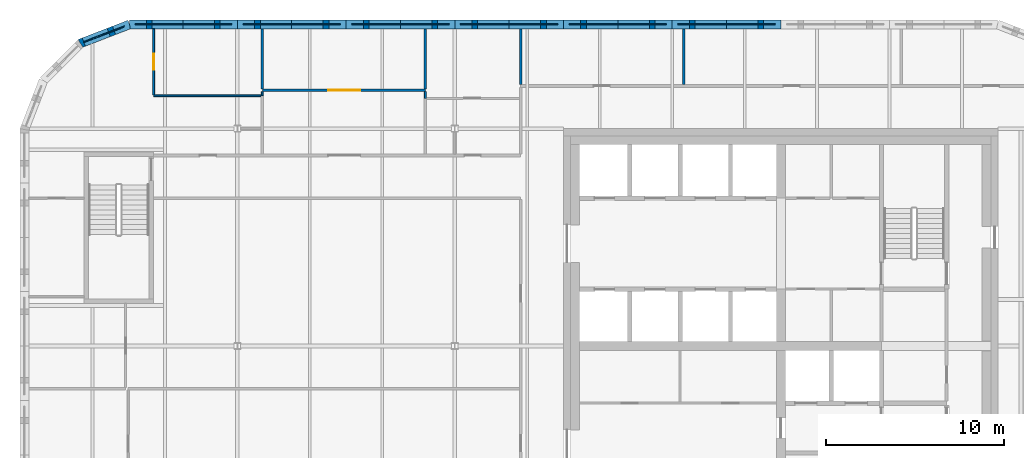
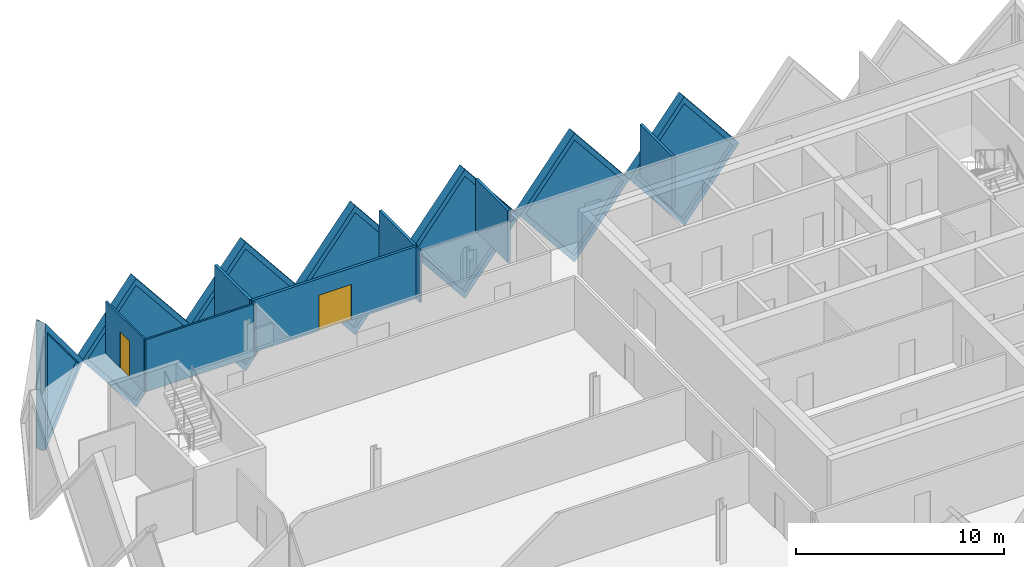
# One storey, part 8 of 10: 16 walls, 7 plates, 2 doors, 9 openings.
"""IFC4 building model written with IfcOpenShell, lengths in metres."""

from ifc_helpers import new_model, si_unit, direction, frame, frame_2d, origin, place, context, subcontext, project, spatial, polyline, rectangle, outline, extrude, faceted_brep, source, transform, mapped, material, layer, layer_set, type_object, element, fill, save


model = new_model("IFC4")

# Units and contexts
model_context = context("Model", 3, precision=1e-05, world=origin(), true_north=direction((0.0, 1.0)))
body_context = subcontext(model_context, "Body", "Model", "MODEL_VIEW")
ifc_project = project(units=[si_unit("LENGTHUNIT", "METRE"), si_unit("AREAUNIT", "SQUARE_METRE"), si_unit("VOLUMEUNIT", "CUBIC_METRE"), si_unit("PLANEANGLEUNIT", "RADIAN"), si_unit("MASSUNIT", "GRAM", prefix="KILO")], contexts=[model_context])

# Site, building, storey
site_placement = place(None, origin())
site = spatial("IfcSite", under=ifc_project, at=site_placement, CompositionType="ELEMENT")
building_placement = place(site_placement, origin())
building = spatial("IfcBuilding", under=site, at=building_placement, Name="Tessera Gate Towers", CompositionType="ELEMENT")
storey_placement = place(building_placement, frame((0.0, 0.0, 248.300048828125)))
storey = spatial("IfcBuildingStorey", under=building, at=storey_placement, Name="L62", CompositionType="ELEMENT", Elevation=248.300048828125)

# Walls
ifc_material_1 = material(Name="Glass", Category="glass")
ifc_layer_1 = layer(ifc_material_1, 0.10009765625)
ifc_layer_set_1 = layer_set([ifc_layer_1], Name="GLAZED PARTITION 100")
wall_type_1 = type_object("IfcWallType", Name="GLAZED PARTITION 100", PredefinedType="PARTITIONING", material=ifc_layer_set_1)
wall_1_placement = place(storey_placement, frame((22.75, 50.5009765625, 0.0), z_axis=(0.0, 0.0, 1.0), x_axis=(0.0, 1.0, 0.0)))
element("IfcWall", 1, at=wall_1_placement, inside=storey, type_object=wall_type_1, Name="T1-L62-PW-025", PredefinedType="PARTITIONING", context=body_context, shape_type="SweptSolid", body=[
    extrude(rectangle(XDim=0.373046875, YDim=0.10009765625, at=frame_2d((0.1865234375, 0.0))), origin(), (0.0, 0.0, 1.0), 3.06689453125),
])
wall_2_placement = place(storey_placement, frame((7.5, 50.64990234375, 0.0), z_axis=(0.0, 0.0, 1.0), x_axis=(1.0, 0.0, 0.0)))
element("IfcWall", 2, at=wall_2_placement, inside=storey, type_object=wall_type_1, Name="T1-L62-PW-027", PredefinedType="PARTITIONING", context=body_context, shape_type="SweptSolid", body=[
    extrude(rectangle(XDim=6.02392578125, YDim=0.10009765625, at=frame_2d((3.011962890625, 0.0))), origin(), (0.0, 0.0, 1.0), 3.06689453125),
])
wall_3_placement = place(storey_placement, frame((13.60009765625, 50.65087890625, 0.0), z_axis=(0.0, 0.0, 1.0), x_axis=(0.0, 1.0, 0.0)))
element("IfcWall", 3, at=wall_3_placement, inside=storey, type_object=wall_type_1, Name="T1-L62-PW-028", PredefinedType="PARTITIONING", context=body_context, shape_type="SweptSolid", body=[
    extrude(rectangle(XDim=0.22314453125, YDim=0.10009765625, at=frame_2d((0.111572265625, 0.0))), origin(), (0.0, 0.0, 1.0), 3.06689453125),
])

# Wall, opening, door
wall_4_placement = place(storey_placement, frame((7.5, 54.39990234375, 0.0), z_axis=(0.0, 0.0, 1.0), x_axis=(0.0, -1.0, 0.0)))
wall_4 = element("IfcWall", 4, at=wall_4_placement, inside=storey, type_object=wall_type_1, Name="T1-L62-PW-029", PredefinedType="PARTITIONING", context=body_context, shape_type="SweptSolid", body=[
    extrude(rectangle(XDim=3.698974609375, YDim=0.10009765625, at=frame_2d((1.849609375, 0.0))), origin(), (0.0, 0.0, 1.0), 3.06689453125),
])
shared_shape_1 = source(origin(), body_context, "Body", "SweptSolid", [
    extrude(rectangle(XDim=0.89990234375, YDim=2.10009765625, at=frame_2d((0.449951171875, 1.050048828125))), frame((0.0, 0.06005859375, 0.0), z_axis=(0.0, -1.0, 0.0), x_axis=(1.0, 0.0, 0.0)), (0.0, 0.0, 1.0), 0.1201171875),
])
opening_1_placement = place(wall_4_placement, frame((1.39892578125, 0.0, 0.0)))
opening_1 = element("IfcOpeningElement", 5, at=opening_1_placement, cuts=wall_4, Name="Opening D690-A21-05", PredefinedType="OPENING", context=body_context, shape_type="MappedRepresentation", body=[
    mapped(shared_shape_1, transform((0.0, 0.0, 0.0), scale=1.0)),
])
ifc_material_2 = material(Name="Glass in aluminium frame", Category="aluminium")
door_type_1 = type_object("IfcDoorType", Name="GLAZED DOOR 900 NOT RATED", OperationType="NOTDEFINED", PredefinedType="DOOR", material=ifc_material_2)
shared_shape_2 = source(origin(), body_context, "Body", "SweptSolid", [
    extrude(rectangle(XDim=0.89990234375, YDim=2.10009765625, at=frame_2d((0.449951171875, 1.050048828125))), frame((0.0, 0.02490234375, 0.0), z_axis=(0.0, -1.0, 0.0), x_axis=(1.0, 0.0, 0.0)), (0.0, 0.0, 1.0), 0.050048828125),
])
door_1_placement = place(opening_1_placement, origin())
door_1 = element("IfcDoor", 6, at=door_1_placement, inside=storey, type_object=door_type_1, Name="T1-L62-PD-014", OperationType="SINGLE_SWING_RIGHT", OverallHeight=2.10009765625, OverallWidth=0.89990234375, PredefinedType="DOOR", context=body_context, shape_type="MappedRepresentation", body=[
    mapped(shared_shape_2, transform((0.0, 0.0, 0.0), scale=1.0)),
])
fill(opening_1, door_1)

ifc_material_3 = material(Name="Gypsum board on steel studs, mineral wool", Category="steel")
ifc_layer_2 = layer(ifc_material_3, 0.14990234375)
ifc_layer_set_2 = layer_set([ifc_layer_2], Name="TENANCY WALL 150")
wall_type_2 = type_object("IfcWallType", Name="TENANCY WALL 150", PredefinedType="PARTITIONING", material=ifc_layer_set_2)
wall_5_placement = place(storey_placement, frame((13.60009765625, 50.949951171875, 0.0), z_axis=(0.0, 0.0, 1.0), x_axis=(1.0, 0.0, 0.0)))
wall_5 = element("IfcWall", 7, at=wall_5_placement, inside=storey, type_object=wall_type_2, Name="T1-L62-PW-030", PredefinedType="PARTITIONING", context=body_context, shape_type="SweptSolid", body=[
    extrude(rectangle(XDim=9.14990234375, YDim=0.14990234375, at=frame_2d((4.574951171875, 0.0))), origin(), (0.0, 0.0, 1.0), 3.06689453125),
])
shared_shape_3 = source(origin(), body_context, "Body", "SweptSolid", [
    extrude(rectangle(XDim=1.800048828125, YDim=2.10009765625, at=frame_2d((0.89990234375, 1.050048828125))), frame((0.0, 0.0849609375, 0.0), z_axis=(0.0, -1.0, 0.0), x_axis=(1.0, 0.0, 0.0)), (0.0, 0.0, 1.0), 0.169921875),
])
opening_2_placement = place(wall_5_placement, frame((3.699951171875, 0.0, 0.0)))
opening_2 = element("IfcOpeningElement", 8, at=opening_2_placement, cuts=wall_5, Name="Opening D7180-A21-01", PredefinedType="OPENING", context=body_context, shape_type="MappedRepresentation", body=[
    mapped(shared_shape_3, transform((0.0, 0.0, 0.0), scale=1.0)),
])
ifc_material_4 = material(Name="Timber door leaf in steel frame", Category="steel")
door_type_2 = type_object("IfcDoorType", Name="DOUBLE DOOR 1800 NOT RATED", OperationType="NOTDEFINED", PredefinedType="DOOR", material=ifc_material_4)
shared_shape_4 = source(origin(), body_context, "Body", "SweptSolid", [
    extrude(rectangle(XDim=1.800048828125, YDim=2.10009765625, at=frame_2d((0.89990234375, 1.050048828125))), frame((0.0, 0.02490234375, 0.0), z_axis=(0.0, -1.0, 0.0), x_axis=(1.0, 0.0, 0.0)), (0.0, 0.0, 1.0), 0.050048828125),
])
door_2_placement = place(opening_2_placement, origin())
door_2 = element("IfcDoor", 9, at=door_2_placement, inside=storey, type_object=door_type_2, Name="T1-L62-PD-013", OperationType="DOUBLE_DOOR_SINGLE_SWING", OverallHeight=2.10009765625, OverallWidth=1.800048828125, PredefinedType="DOOR", context=body_context, shape_type="MappedRepresentation", body=[
    mapped(shared_shape_4, transform((0.0, 0.0, 0.0), scale=1.0)),
])
fill(opening_2, door_2)

# Walls
for number, where, z_axis, x_axis, name in (
    (10, (13.60009765625, 51.02587890625, 0.0), (0.0, 0.0, 1.0), (0.0, 1.0, 0.0), "T1-L62-PW-031"),
    (11, (22.75, 51.02587890625, 0.0), (0.0, 0.0, 1.0), (0.0, 1.0, 0.0), "T1-L62-PW-032"),
):
    element("IfcWall", number, at=place(storey_placement, frame(where, z_axis=z_axis, x_axis=x_axis)), inside=storey, type_object=wall_type_2, Name=name, PredefinedType="PARTITIONING", context=body_context, shape_type="SweptSolid", body=[
        extrude(rectangle(XDim=3.3740234375, YDim=0.14990234375, at=frame_2d((1.68701171875, 0.0))), origin(), (0.0, 0.0, 1.0), 3.06689453125),
    ])
for number, where, z_axis, x_axis, name in (
    (12, (28.10009765625, 51.27587890625, 0.0), (0.0, 0.0, 1.0), (0.0, 1.0, 0.0), "T1-L62-PW-034"),
    (13, (37.25, 51.27587890625, 0.0), (0.0, 0.0, 1.0), (0.0, 1.0, 0.0), "T1-L62-PW-035"),
):
    element("IfcWall", number, at=place(storey_placement, frame(where, z_axis=z_axis, x_axis=x_axis)), inside=storey, type_object=wall_type_2, Name=name, PredefinedType="PARTITIONING", context=body_context, shape_type="SweptSolid", body=[
        extrude(rectangle(XDim=3.1240234375, YDim=0.14990234375, at=frame_2d((1.56201171875, 0.0))), origin(), (0.0, 0.0, 1.0), 3.06689453125),
    ])

# Wall, opening, plate
ifc_material_5 = material(Name="Precast concrete C60/75 white", Category="concrete")
ifc_layer_3 = layer(ifc_material_5, 0.5)
ifc_layer_set_3 = layer_set([ifc_layer_3], Name="TS1 tessera")
wall_type_3 = type_object("IfcWallType", Name="TS1 tessera", PredefinedType="SOLIDWALL", material=ifc_layer_set_3)
shared_shape_5 = source(origin(), body_context, "Body", "Brep", [
    faceted_brep([(3.050048828125, -0.25, 0.0), (6.099853515625, -0.25, 3.7998046875), (6.099853515625, -0.25, 3.80029296875), (3.050048828125, -0.25, 7.60009765625), (0.0, -0.25, 3.800048828125), (0.0, 0.25, 3.800048828125), (3.050048828125, 0.25, 7.60009765625), (6.099853515625, 0.25, 3.80029296875), (6.099853515625, 0.25, 3.7998046875), (3.050048828125, 0.25, 0.0)], [[[0, 1, 2, 3, 4]], [[5, 6, 7, 8, 9]], [[9, 8, 1, 0]], [[7, 6, 3, 2]], [[6, 5, 4, 3]], [[5, 9, 0, 4]], [[1, 8, 7, 2]]]),
])
wall_6_placement = place(storey_placement, frame((42.699951171875, 54.64990234375, -3.800048828125), z_axis=(0.0, 0.0, 1.0), x_axis=(-1.0, 0.0, 0.0)))
wall_6 = element("IfcWall", 14, at=wall_6_placement, inside=storey, type_object=wall_type_3, Name="Precast tessera T1 TS1-1092", PredefinedType="SOLIDWALL", context=body_context, shape_type="MappedRepresentation", body=[
    mapped(shared_shape_5, transform((0.0, 0.0, 0.0), scale=1.0)),
])
shared_shape_6 = source(origin(), body_context, "Body", "SweptSolid", [
    extrude(outline(polyline([(3.050048828125, 0.3994140625), (5.779541015625, 3.800048828125), (3.050048828125, 7.20068359375), (0.320556640625, 3.800048828125), (3.050048828125, 0.3994140625)])), frame((0.0, 0.260009765625, 0.0), z_axis=(0.0, -1.0, 0.0), x_axis=(1.0, 0.0, 0.0)), (0.0, 0.0, 1.0), 0.52001953125),
])
opening_3_placement = place(wall_6_placement, origin())
opening_3 = element("IfcOpeningElement", 15, at=opening_3_placement, cuts=wall_6, Name="Opening T1-PL2-2216", PredefinedType="OPENING", context=body_context, shape_type="MappedRepresentation", body=[
    mapped(shared_shape_6, transform((0.0, 0.0, 0.0), scale=1.0)),
])
ifc_material_6 = material(Name="Low-e laminated glass", Category="glass")
ifc_layer_4 = layer(ifc_material_6, 0.06005859375)
ifc_layer_set_4 = layer_set([ifc_layer_4], Name="PL2 rhombic pane")
plate_type = type_object("IfcPlateType", Name="PL2 rhombic pane", PredefinedType="SHEET", material=ifc_layer_set_4)
shared_shape_7 = source(origin(), body_context, "Body", "SweptSolid", [
    extrude(outline(polyline([(3.050048828125, 0.3994140625), (5.779541015625, 3.800048828125), (3.050048828125, 7.20068359375), (0.320556640625, 3.800048828125), (3.050048828125, 0.3994140625)])), frame((0.0, 0.030029296875, 0.0), z_axis=(0.0, -1.0, 0.0), x_axis=(1.0, 0.0, 0.0)), (0.0, 0.0, 1.0), 0.06005859375),
])
plate_1_placement = place(opening_3_placement, origin())
plate_1 = element("IfcPlate", 16, at=plate_1_placement, inside=storey, type_object=plate_type, Name="Glass pane T1 PL2-2216", PredefinedType="SHEET", context=body_context, shape_type="MappedRepresentation", body=[
    mapped(shared_shape_7, transform((0.0, 0.0, 0.0), scale=1.0)),
])
fill(opening_3, plate_1)

wall_7_placement = place(storey_placement, frame((24.39990234375, 54.64990234375, -3.800048828125), z_axis=(0.0, 0.0, 1.0), x_axis=(-1.0, 0.0, 0.0)))
wall_7 = element("IfcWall", 17, at=wall_7_placement, inside=storey, type_object=wall_type_3, Name="Precast tessera T1 TS1-1095", PredefinedType="SOLIDWALL", context=body_context, shape_type="MappedRepresentation", body=[
    mapped(shared_shape_5, transform((0.0, 0.0, 0.0), scale=1.0)),
])
opening_4_placement = place(wall_7_placement, origin())
opening_4 = element("IfcOpeningElement", 18, at=opening_4_placement, cuts=wall_7, Name="Opening T1-PL2-2219", PredefinedType="OPENING", context=body_context, shape_type="MappedRepresentation", body=[
    mapped(shared_shape_6, transform((0.0, 0.0, 0.0), scale=1.0)),
])
plate_2_placement = place(opening_4_placement, origin())
plate_2 = element("IfcPlate", 19, at=plate_2_placement, inside=storey, type_object=plate_type, Name="Glass pane T1 PL2-2219", PredefinedType="SHEET", context=body_context, shape_type="MappedRepresentation", body=[
    mapped(shared_shape_7, transform((0.0, 0.0, 0.0), scale=1.0)),
])
fill(opening_4, plate_2)

shared_shape_8 = source(origin(), body_context, "Body", "SweptSolid", [
    extrude(outline(polyline([(3.050048828125, 0.0), (6.10009765625, 3.800048828125), (3.050048828125, 7.60009765625), (0.0, 3.800048828125), (3.050048828125, 0.0)])), frame((0.0, 0.25, 0.0), z_axis=(0.0, -1.0, 0.0), x_axis=(1.0, 0.0, 0.0)), (0.0, 0.0, 1.0), 0.5),
])
wall_8_placement = place(storey_placement, frame((36.60009765625, 54.64990234375, -3.800048828125), z_axis=(0.0, 0.0, 1.0), x_axis=(-1.0, 0.0, 0.0)))
wall_8 = element("IfcWall", 20, at=wall_8_placement, inside=storey, type_object=wall_type_3, Name="Precast tessera T1 TS1-1093", PredefinedType="SOLIDWALL", context=body_context, shape_type="MappedRepresentation", body=[
    mapped(shared_shape_8, transform((0.0, 0.0, 0.0), scale=1.0)),
])
opening_5_placement = place(wall_8_placement, origin())
opening_5 = element("IfcOpeningElement", 21, at=opening_5_placement, cuts=wall_8, Name="Opening T1-PL2-2217", PredefinedType="OPENING", context=body_context, shape_type="MappedRepresentation", body=[
    mapped(shared_shape_6, transform((0.0, 0.0, 0.0), scale=1.0)),
])
plate_3_placement = place(opening_5_placement, origin())
plate_3 = element("IfcPlate", 22, at=plate_3_placement, inside=storey, type_object=plate_type, Name="Glass pane T1 PL2-2217", PredefinedType="SHEET", context=body_context, shape_type="MappedRepresentation", body=[
    mapped(shared_shape_7, transform((0.0, 0.0, 0.0), scale=1.0)),
])
fill(opening_5, plate_3)

wall_9_placement = place(storey_placement, frame((30.5, 54.64990234375, -3.800048828125), z_axis=(0.0, 0.0, 1.0), x_axis=(-1.0, 0.0, 0.0)))
wall_9 = element("IfcWall", 23, at=wall_9_placement, inside=storey, type_object=wall_type_3, Name="Precast tessera T1 TS1-1094", PredefinedType="SOLIDWALL", context=body_context, shape_type="MappedRepresentation", body=[
    mapped(shared_shape_8, transform((0.0, 0.0, 0.0), scale=1.0)),
])
opening_6_placement = place(wall_9_placement, origin())
opening_6 = element("IfcOpeningElement", 24, at=opening_6_placement, cuts=wall_9, Name="Opening T1-PL2-2218", PredefinedType="OPENING", context=body_context, shape_type="MappedRepresentation", body=[
    mapped(shared_shape_6, transform((0.0, 0.0, 0.0), scale=1.0)),
])
plate_4_placement = place(opening_6_placement, origin())
plate_4 = element("IfcPlate", 25, at=plate_4_placement, inside=storey, type_object=plate_type, Name="Glass pane T1 PL2-2218", PredefinedType="SHEET", context=body_context, shape_type="MappedRepresentation", body=[
    mapped(shared_shape_7, transform((0.0, 0.0, 0.0), scale=1.0)),
])
fill(opening_6, plate_4)

wall_10_placement = place(storey_placement, frame((18.300048828125, 54.64990234375, -3.800048828125), z_axis=(0.0, 0.0, 1.0), x_axis=(-1.0, 0.0, 0.0)))
wall_10 = element("IfcWall", 26, at=wall_10_placement, inside=storey, type_object=wall_type_3, Name="Precast tessera T1 TS1-1096", PredefinedType="SOLIDWALL", context=body_context, shape_type="MappedRepresentation", body=[
    mapped(shared_shape_8, transform((0.0, 0.0, 0.0), scale=1.0)),
])
opening_7_placement = place(wall_10_placement, origin())
opening_7 = element("IfcOpeningElement", 27, at=opening_7_placement, cuts=wall_10, Name="Opening T1-PL2-2220", PredefinedType="OPENING", context=body_context, shape_type="MappedRepresentation", body=[
    mapped(shared_shape_6, transform((0.0, 0.0, 0.0), scale=1.0)),
])
plate_5_placement = place(opening_7_placement, origin())
plate_5 = element("IfcPlate", 28, at=plate_5_placement, inside=storey, type_object=plate_type, Name="Glass pane T1 PL2-2220", PredefinedType="SHEET", context=body_context, shape_type="MappedRepresentation", body=[
    mapped(shared_shape_7, transform((0.0, 0.0, 0.0), scale=1.0)),
])
fill(opening_7, plate_5)

shared_shape_9 = source(origin(), body_context, "Body", "Brep", [
    faceted_brep([(3.050048828125, -0.25, 0.0), (6.053466796875, -0.25, 3.800048828125), (3.050048828125, -0.25, 7.60009765625), (0.0, -0.25, 3.800048828125), (0.0, 0.25, 3.800048828125), (3.050048828125, 0.25, 7.60009765625), (6.0068359375, 0.25, 3.85888671875), (6.0068359375, 0.25, 3.7412109375), (3.050048828125, 0.25, 0.0), (6.053466796875, 0.0, 3.800048828125)], [[[0, 1, 2, 3]], [[4, 5, 6, 7, 8]], [[8, 7, 9, 1, 0]], [[6, 5, 2, 1, 9]], [[5, 4, 3, 2]], [[4, 8, 0, 3]], [[9, 7, 6]]]),
])
wall_11_placement = place(storey_placement, frame((12.199951171875, 54.64990234375, -3.800048828125), z_axis=(0.0, 0.0, 1.0), x_axis=(-1.0, 0.0, 0.0)))
wall_11 = element("IfcWall", 29, at=wall_11_placement, inside=storey, type_object=wall_type_3, Name="Precast tessera T1 TS1-1097", PredefinedType="SOLIDWALL", context=body_context, shape_type="MappedRepresentation", body=[
    mapped(shared_shape_9, transform((0.0, 0.0, 0.0), scale=1.0)),
])
shared_shape_10 = source(origin(), body_context, "Body", "SweptSolid", [
    extrude(outline(polyline([(3.048583984375, 0.4013671875), (5.73486328125, 3.800048828125), (3.048583984375, 7.19873046875), (0.320556640625, 3.800048828125), (3.048583984375, 0.4013671875)])), frame((0.0, 0.260009765625, 0.0), z_axis=(0.0, -1.0, 0.0), x_axis=(1.0, 0.0, 0.0)), (0.0, 0.0, 1.0), 0.52001953125),
])
opening_8_placement = place(wall_11_placement, origin())
opening_8 = element("IfcOpeningElement", 30, at=opening_8_placement, cuts=wall_11, Name="Opening T1-PL2-2221", PredefinedType="OPENING", context=body_context, shape_type="MappedRepresentation", body=[
    mapped(shared_shape_10, transform((0.0, 0.0, 0.0), scale=1.0)),
])
shared_shape_11 = source(origin(), body_context, "Body", "SweptSolid", [
    extrude(outline(polyline([(3.048583984375, 0.4013671875), (5.73486328125, 3.800048828125), (3.048583984375, 7.19873046875), (0.320556640625, 3.800048828125), (3.048583984375, 0.4013671875)])), frame((0.0, 0.030029296875, 0.0), z_axis=(0.0, -1.0, 0.0), x_axis=(1.0, 0.0, 0.0)), (0.0, 0.0, 1.0), 0.06005859375),
])
plate_6_placement = place(opening_8_placement, origin())
plate_6 = element("IfcPlate", 31, at=plate_6_placement, inside=storey, type_object=plate_type, Name="Glass pane T1 PL2-2221", PredefinedType="SHEET", context=body_context, shape_type="MappedRepresentation", body=[
    mapped(shared_shape_11, transform((0.0, 0.0, 0.0), scale=1.0)),
])
fill(opening_8, plate_6)

ifc_material_7 = material(Name="Precast concrete C60/75 white", Category="concrete")
ifc_layer_5 = layer(ifc_material_7, 0.5)
ifc_layer_set_5 = layer_set([ifc_layer_5], Name="TS3 corner tessera")
wall_type_4 = type_object("IfcWallType", Name="TS3 corner tessera", PredefinedType="SOLIDWALL", material=ifc_layer_set_5)
shared_shape_12 = source(origin(), body_context, "Body", "Brep", [
    faceted_brep([(2.950439453125, -0.25, 0.0), (3.00341796875, -0.25, 0.068359375), (3.00341796875, -0.25, 7.53173828125), (2.950439453125, -0.25, 7.60009765625), (0.0, -0.25, 3.800048828125), (0.046630859375, 0.25, 3.860107421875), (2.897705078125, 0.25, 7.531982421875), (2.897705078125, 0.25, 0.068115234375), (0.046630859375, 0.25, 3.739990234375), (2.950439453125, 0.00048828125, 0.0), (2.950439453125, 0.00048828125, 7.60009765625), (0.0, 0.0, 3.800048828125)], [[[0, 1, 2, 3, 4]], [[5, 6, 7, 8]], [[1, 0, 9]], [[10, 3, 2]], [[6, 5, 11, 4, 3, 10]], [[8, 7, 9, 0, 4, 11]], [[8, 11, 5]], [[1, 9, 7, 6, 10, 2]]]),
])
wall_12_placement = place(storey_placement, frame((6.146484375, 54.64990234375, -3.800048828125), z_axis=(0.0, 0.0, 1.0), x_axis=(-0.932997369089, -0.359883188373, 0.0)))
wall_12 = element("IfcWall", 32, at=wall_12_placement, inside=storey, type_object=wall_type_4, Name="Precast corner tessera T1 TS3-1425", PredefinedType="SOLIDWALL", context=body_context, shape_type="MappedRepresentation", body=[
    mapped(shared_shape_12, transform((0.0, 0.0, 0.0), scale=1.0)),
])
shared_shape_13 = source(origin(), body_context, "Body", "SweptSolid", [
    extrude(outline(polyline([(2.75048828125, 6.934814453125), (0.31640625, 3.800048828125), (2.75048828125, 0.665283203125), (2.75048828125, 6.934814453125)])), frame((0.0, 0.260009765625, 0.0), z_axis=(0.0, -1.0, 0.0), x_axis=(1.0, 0.0, 0.0)), (0.0, 0.0, 1.0), 0.52001953125),
])
opening_9_placement = place(wall_12_placement, origin())
opening_9 = element("IfcOpeningElement", 33, at=opening_9_placement, cuts=wall_12, Name="Opening T1-PL2-2222", PredefinedType="OPENING", context=body_context, shape_type="MappedRepresentation", body=[
    mapped(shared_shape_13, transform((0.0, 0.0, 0.0), scale=1.0)),
])
shared_shape_14 = source(origin(), body_context, "Body", "SweptSolid", [
    extrude(outline(polyline([(2.75048828125, 6.934814453125), (0.31640625, 3.800048828125), (2.75048828125, 0.665283203125), (2.75048828125, 6.934814453125)])), frame((0.0, 0.030029296875, 0.0), z_axis=(0.0, -1.0, 0.0), x_axis=(1.0, 0.0, 0.0)), (0.0, 0.0, 1.0), 0.06005859375),
])
plate_7_placement = place(opening_9_placement, origin())
plate_7 = element("IfcPlate", 34, at=plate_7_placement, inside=storey, type_object=plate_type, Name="Glass pane T1 PL2-2222", PredefinedType="SHEET", context=body_context, shape_type="MappedRepresentation", body=[
    mapped(shared_shape_14, transform((0.0, 0.0, 0.0), scale=1.0)),
])
fill(opening_9, plate_7)

save(model, "model.ifc")
